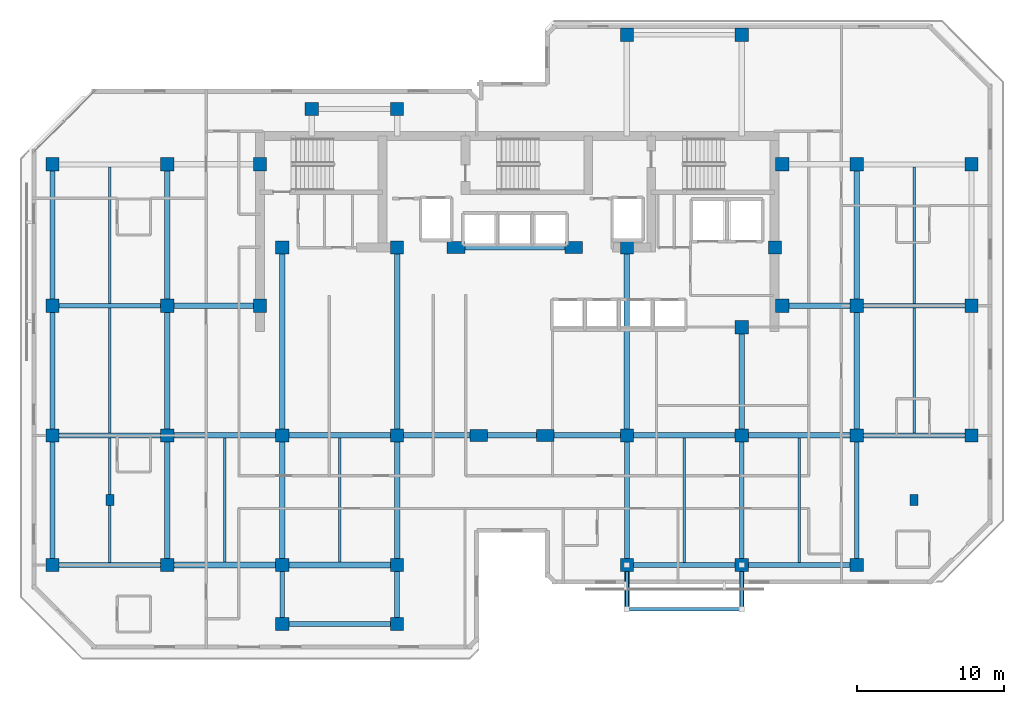
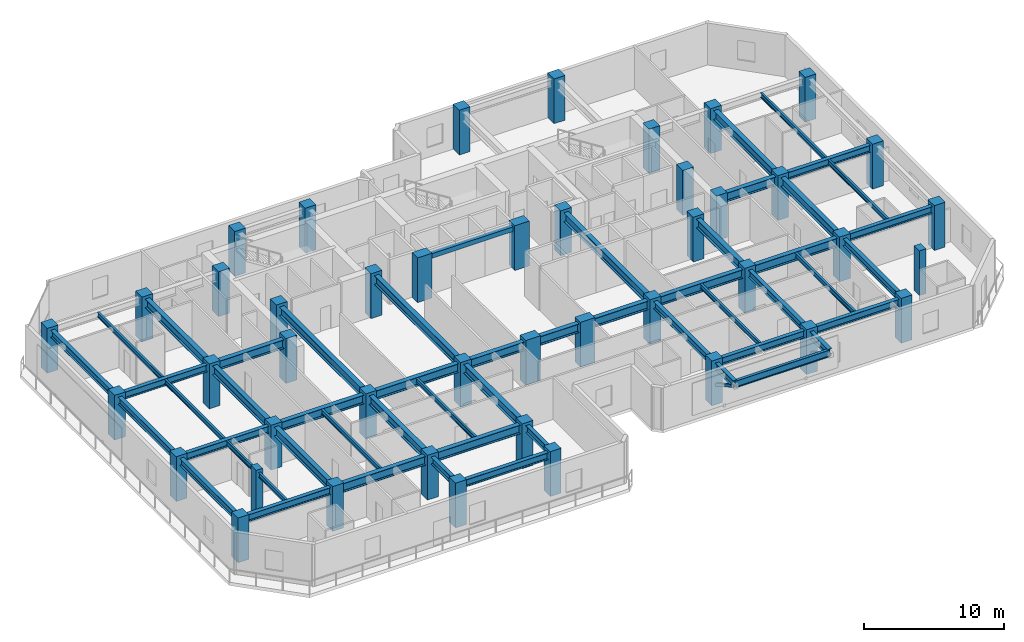
# One storey, part 1 of 10: 51 beams, 44 columns, 2 members.
"""IFC4 building model written with IfcOpenShell, lengths in metres."""

from ifc_helpers import new_model, si_unit, direction, frame, origin, origin_2d, place, context, subcontext, project, spatial, rectangle, hollow_rectangle, i_section, extrude, material, material_profile, profile_set, type_object, element, save


model = new_model("IFC4")

# Units and contexts
model_context = context("Model", 3, precision=1e-05, world=origin(), true_north=direction((0.0, 1.0)))
body_context = subcontext(model_context, "Body", "Model", "MODEL_VIEW")
ifc_project = project(units=[si_unit("LENGTHUNIT", "METRE"), si_unit("AREAUNIT", "SQUARE_METRE"), si_unit("VOLUMEUNIT", "CUBIC_METRE"), si_unit("PLANEANGLEUNIT", "RADIAN"), si_unit("MASSUNIT", "GRAM", prefix="KILO")], contexts=[model_context])

# Site, building, storey
site_placement = place(None, origin())
site = spatial("IfcSite", under=ifc_project, at=site_placement, CompositionType="ELEMENT")
building_placement = place(site_placement, origin())
building = spatial("IfcBuilding", under=site, at=building_placement, Name="Kestravale Grand Hotel", CompositionType="ELEMENT")
storey_placement = place(building_placement, frame((0.0, 0.0, 189.0)))
storey = spatial("IfcBuildingStorey", under=building, at=storey_placement, Name="L47", CompositionType="ELEMENT", Elevation=189.0)

# Columns
ifc_material_1 = material(Name="Concrete f'c 60 MPa", Category="concrete")
ifc_material_profile_1 = material_profile(ifc_material_1, rectangle(XDim=1.199951171875, YDim=0.800048828125, at=origin_2d()))
ifc_profile_set_1 = profile_set([ifc_material_profile_1], Name="Concrete f'c 60 MPa")
column_type_1 = type_object("IfcColumnType", Name="C-Z3-1200X800", PredefinedType="COLUMN", material=ifc_profile_set_1)
for number, where, z_axis, x_axis, name in (
    (1, (36.75, 20.0, 0.0), (0.0, 0.0, 1.0), (1.0, 0.0, 0.0), "L47 column 6-D"),
    (2, (41.25, 20.0, 0.0), (0.0, 0.0, 1.0), (1.0, 0.0, 0.0), "L47 column 7-D"),
    (3, (35.199951171875, 32.75, 0.0), (0.0, 0.0, 1.0), (1.0, 0.0, 0.0), "L47 column 6C-CS"),
    (4, (43.199951171875, 32.75, 0.0), (0.0, 0.0, 1.0), (1.0, 0.0, 0.0), "L47 column 7C-CS"),
):
    element("IfcColumn", number, at=place(storey_placement, frame(where, z_axis=z_axis, x_axis=x_axis)), inside=storey, type_object=column_type_1, Name=name, PredefinedType="COLUMN", context=body_context, shape_type="SweptSolid", body=[
        extrude(rectangle(XDim=1.199951171875, YDim=0.800048828125, at=origin_2d()), origin(), (0.0, 0.0, 1.0), 3.89990234375),
    ])
ifc_material_2 = material(Name="Precast concrete f'c 45 MPa", Category="concrete")
ifc_material_profile_2 = material_profile(ifc_material_2, rectangle(XDim=0.550048828125, YDim=0.75, at=origin_2d()))
ifc_profile_set_2 = profile_set([ifc_material_profile_2], Name="Precast concrete f'c 45 MPa")
column_type_2 = type_object("IfcColumnType", Name="C-Z3-PIL750", PredefinedType="PILASTER", material=ifc_profile_set_2)
for number, where, z_axis, x_axis, name in (
    (5, (11.699951171875, 15.60009765625, 0.0), (0.0, 0.0, 1.0), (1.0, 0.0, 0.0), "L47 Art Deco fluted pilaster P1"),
    (6, (66.300048828125, 15.60009765625, 0.0), (0.0, 0.0, 1.0), (1.0, 0.0, 0.0), "L47 Art Deco fluted pilaster P2"),
):
    element("IfcColumn", number, at=place(storey_placement, frame(where, z_axis=z_axis, x_axis=x_axis)), inside=storey, type_object=column_type_2, Name=name, PredefinedType="PILASTER", context=body_context, shape_type="SweptSolid", body=[
        extrude(rectangle(XDim=0.550048828125, YDim=0.75, at=origin_2d()), origin(), (0.0, 0.0, 1.0), 3.89990234375),
    ])
ifc_material_3 = material(Name="Concrete f'c 50 MPa", Category="concrete")
ifc_material_profile_3 = material_profile(ifc_material_3, rectangle(XDim=0.89990234375, YDim=0.89990234375, at=origin_2d()))
ifc_profile_set_3 = profile_set([ifc_material_profile_3], Name="Concrete f'c 50 MPa")
column_type_3 = type_object("IfcColumnType", Name="C-Z4-900", PredefinedType="COLUMN", material=ifc_profile_set_3)
for number, where, z_axis, x_axis, name in (
    (7, (7.800048828125, 11.199951171875, 0.0), (0.0, 0.0, 1.0), (1.0, 0.0, 0.0), "L47 column 2-C"),
    (8, (7.800048828125, 20.0, 0.0), (0.0, 0.0, 1.0), (1.0, 0.0, 0.0), "L47 column 2-D"),
    (9, (7.800048828125, 28.800048828125, 0.0), (0.0, 0.0, 1.0), (1.0, 0.0, 0.0), "L47 column 2-E"),
    (10, (7.800048828125, 38.39990234375, 0.0), (0.0, 0.0, 1.0), (1.0, 0.0, 0.0), "L47 column 2-F"),
    (11, (15.60009765625, 11.199951171875, 0.0), (0.0, 0.0, 1.0), (1.0, 0.0, 0.0), "L47 column 3-C"),
    (12, (15.60009765625, 20.0, 0.0), (0.0, 0.0, 1.0), (1.0, 0.0, 0.0), "L47 column 3-D"),
    (13, (15.60009765625, 28.800048828125, 0.0), (0.0, 0.0, 1.0), (1.0, 0.0, 0.0), "L47 column 3-E"),
    (14, (15.60009765625, 38.39990234375, 0.0), (0.0, 0.0, 1.0), (1.0, 0.0, 0.0), "L47 column 3-F"),
    (15, (23.39990234375, 11.199951171875, 0.0), (0.0, 0.0, 1.0), (1.0, 0.0, 0.0), "L47 column 4-C"),
    (16, (23.39990234375, 20.0, 0.0), (0.0, 0.0, 1.0), (1.0, 0.0, 0.0), "L47 column 4-D"),
    (17, (31.199951171875, 11.199951171875, 0.0), (0.0, 0.0, 1.0), (1.0, 0.0, 0.0), "L47 column 5-C"),
    (18, (31.199951171875, 20.0, 0.0), (0.0, 0.0, 1.0), (1.0, 0.0, 0.0), "L47 column 5-D"),
    (19, (46.800048828125, 11.199951171875, 0.0), (0.0, 0.0, 1.0), (1.0, 0.0, 0.0), "L47 column 8-C"),
    (20, (46.800048828125, 20.0, 0.0), (0.0, 0.0, 1.0), (1.0, 0.0, 0.0), "L47 column 8-D"),
    (21, (46.800048828125, 47.199951171875, 0.0), (0.0, 0.0, 1.0), (1.0, 0.0, 0.0), "L47 column 8-G"),
    (22, (54.60009765625, 11.199951171875, 0.0), (0.0, 0.0, 1.0), (1.0, 0.0, 0.0), "L47 column 9-C"),
    (23, (54.60009765625, 20.0, 0.0), (0.0, 0.0, 1.0), (1.0, 0.0, 0.0), "L47 column 9-D"),
    (24, (54.60009765625, 47.199951171875, 0.0), (0.0, 0.0, 1.0), (1.0, 0.0, 0.0), "L47 column 9-G"),
    (25, (62.39990234375, 11.199951171875, 0.0), (0.0, 0.0, 1.0), (1.0, 0.0, 0.0), "L47 column 10-C"),
    (26, (62.39990234375, 20.0, 0.0), (0.0, 0.0, 1.0), (1.0, 0.0, 0.0), "L47 column 10-D"),
    (27, (62.39990234375, 28.800048828125, 0.0), (0.0, 0.0, 1.0), (1.0, 0.0, 0.0), "L47 column 10-E"),
    (28, (62.39990234375, 38.39990234375, 0.0), (0.0, 0.0, 1.0), (1.0, 0.0, 0.0), "L47 column 10-F"),
    (29, (70.199951171875, 20.0, 0.0), (0.0, 0.0, 1.0), (1.0, 0.0, 0.0), "L47 column 11-D"),
    (30, (70.199951171875, 28.800048828125, 0.0), (0.0, 0.0, 1.0), (1.0, 0.0, 0.0), "L47 column 11-E"),
    (31, (70.199951171875, 38.39990234375, 0.0), (0.0, 0.0, 1.0), (1.0, 0.0, 0.0), "L47 column 11-F"),
    (32, (21.89990234375, 28.800048828125, 0.0), (0.0, 0.0, 1.0), (1.0, 0.0, 0.0), "L47 column CW-E"),
    (33, (21.89990234375, 38.39990234375, 0.0), (0.0, 0.0, 1.0), (1.0, 0.0, 0.0), "L47 column CW-F"),
    (34, (57.35009765625, 28.800048828125, 0.0), (0.0, 0.0, 1.0), (1.0, 0.0, 0.0), "L47 column CE-E"),
    (35, (57.35009765625, 38.39990234375, 0.0), (0.0, 0.0, 1.0), (1.0, 0.0, 0.0), "L47 column CE-F"),
    (36, (23.39990234375, 32.75, 0.0), (0.0, 0.0, 1.0), (1.0, 0.0, 0.0), "L47 column 4-CS"),
    (37, (31.199951171875, 32.75, 0.0), (0.0, 0.0, 1.0), (1.0, 0.0, 0.0), "L47 column 5-CS"),
    (38, (46.800048828125, 32.75, 0.0), (0.0, 0.0, 1.0), (1.0, 0.0, 0.0), "L47 column 8-CS"),
    (39, (54.60009765625, 27.35009765625, 0.0), (0.0, 0.0, 1.0), (1.0, 0.0, 0.0), "L47 column 9-CS"),
    (40, (56.85009765625, 32.75, 0.0), (0.0, 0.0, 1.0), (1.0, 0.0, 0.0), "L47 column 9C-CS"),
    (41, (23.39990234375, 7.199951171875, 0.0), (0.0, 0.0, 1.0), (1.0, 0.0, 0.0), "L47 column 4-BS"),
    (42, (31.199951171875, 7.199951171875, 0.0), (0.0, 0.0, 1.0), (1.0, 0.0, 0.0), "L47 column 5-BS"),
    (43, (25.39990234375, 42.14990234375, 0.0), (0.0, 0.0, 1.0), (1.0, 0.0, 0.0), "L47 column 4-FN"),
    (44, (31.199951171875, 42.14990234375, 0.0), (0.0, 0.0, 1.0), (1.0, 0.0, 0.0), "L47 column 5-FN"),
):
    element("IfcColumn", number, at=place(storey_placement, frame(where, z_axis=z_axis, x_axis=x_axis)), inside=storey, type_object=column_type_3, Name=name, PredefinedType="COLUMN", context=body_context, shape_type="SweptSolid", body=[
        extrude(rectangle(XDim=0.89990234375, YDim=0.89990234375, at=origin_2d()), origin(), (0.0, 0.0, 1.0), 3.89990234375),
    ])

# Beams
ifc_material_4 = material(Name="Steel ASTM A992 Grade 50", Category="steel")
ifc_material_profile_4 = material_profile(ifc_material_4, i_section(OverallWidth=0.177978515625, OverallDepth=0.404052734375, WebThickness=0.007568359375, FlangeThickness=0.010986328125, FilletRadius=0.01416015625, at=origin_2d()))
ifc_profile_set_4 = profile_set([ifc_material_profile_4], Name="Steel ASTM A992 Grade 50")
beam_type_1 = type_object("IfcBeamType", Name="B-FLR-JST16", PredefinedType="JOIST", material=ifc_profile_set_4)
for number, where, z_axis, x_axis, name in (
    (45, (11.699951171875, 11.362548828125, 3.447998046875), (0.0, 1.0, 0.0), (-1.0, 0.0, 0.0), "L47 floor joist 2-3/C-D #1"),
    (46, (11.699951171875, 20.16259765625, 3.447998046875), (0.0, 1.0, 0.0), (-1.0, 0.0, 0.0), "L47 floor joist 2-3/D-E #1"),
):
    element("IfcBeam", number, at=place(storey_placement, frame(where, z_axis=z_axis, x_axis=x_axis)), inside=storey, type_object=beam_type_1, Name=name, PredefinedType="JOIST", context=body_context, shape_type="SweptSolid", body=[
        extrude(i_section(OverallWidth=0.177978515625, OverallDepth=0.404052734375, WebThickness=0.007568359375, FlangeThickness=0.010986328125, FilletRadius=0.01416015625, at=origin_2d()), origin(), (0.0, 0.0, 1.0), 8.474853515625),
    ])
beam_1_placement = place(storey_placement, frame((11.699951171875, 28.96240234375, 3.447998046875), z_axis=(0.0, 1.0, 0.0), x_axis=(-1.0, 0.0, 0.0)))
element("IfcBeam", 47, at=beam_1_placement, inside=storey, type_object=beam_type_1, Name="L47 floor joist 2-3/E-F #1", PredefinedType="JOIST", context=body_context, shape_type="SweptSolid", body=[
    extrude(i_section(OverallWidth=0.177978515625, OverallDepth=0.404052734375, WebThickness=0.007568359375, FlangeThickness=0.010986328125, FilletRadius=0.01416015625, at=origin_2d()), origin(), (0.0, 0.0, 1.0), 9.275146484375),
])
for number, where, z_axis, x_axis, name in (
    (48, (19.5, 11.390380859375, 3.447998046875), (0.0, 1.0, 0.0), (-1.0, 0.0, 0.0), "L47 floor joist 3-4/C-D #1"),
    (49, (27.300048828125, 11.390380859375, 3.447998046875), (0.0, 1.0, 0.0), (-1.0, 0.0, 0.0), "L47 floor joist 4-5/C-D #1"),
):
    element("IfcBeam", number, at=place(storey_placement, frame(where, z_axis=z_axis, x_axis=x_axis)), inside=storey, type_object=beam_type_1, Name=name, PredefinedType="JOIST", context=body_context, shape_type="SweptSolid", body=[
        extrude(i_section(OverallWidth=0.177978515625, OverallDepth=0.404052734375, WebThickness=0.007568359375, FlangeThickness=0.010986328125, FilletRadius=0.01416015625, at=origin_2d()), origin(), (0.0, 0.0, 1.0), 8.419189453125),
    ])
for number, where, z_axis, x_axis, name in (
    (50, (50.699951171875, 11.362548828125, 3.447998046875), (0.0, 1.0, 0.0), (-1.0, 0.0, 0.0), "L47 floor joist 8-9/C-D #1"),
    (51, (58.5, 11.362548828125, 3.447998046875), (0.0, 1.0, 0.0), (-1.0, 0.0, 0.0), "L47 floor joist 9-10/C-D #1"),
):
    element("IfcBeam", number, at=place(storey_placement, frame(where, z_axis=z_axis, x_axis=x_axis)), inside=storey, type_object=beam_type_1, Name=name, PredefinedType="JOIST", context=body_context, shape_type="SweptSolid", body=[
        extrude(i_section(OverallWidth=0.177978515625, OverallDepth=0.404052734375, WebThickness=0.007568359375, FlangeThickness=0.010986328125, FilletRadius=0.01416015625, at=origin_2d()), origin(), (0.0, 0.0, 1.0), 8.447021484375),
    ])
beam_2_placement = place(storey_placement, frame((66.300048828125, 20.16259765625, 3.447998046875), z_axis=(0.0, 1.0, 0.0), x_axis=(-1.0, 0.0, 0.0)))
element("IfcBeam", 52, at=beam_2_placement, inside=storey, type_object=beam_type_1, Name="L47 floor joist 10-11/D-E #1", PredefinedType="JOIST", context=body_context, shape_type="SweptSolid", body=[
    extrude(i_section(OverallWidth=0.177978515625, OverallDepth=0.404052734375, WebThickness=0.007568359375, FlangeThickness=0.010986328125, FilletRadius=0.01416015625, at=origin_2d()), origin(), (0.0, 0.0, 1.0), 8.474853515625),
])
beam_3_placement = place(storey_placement, frame((66.300048828125, 28.96240234375, 3.447998046875), z_axis=(0.0, 1.0, 0.0), x_axis=(-1.0, 0.0, 0.0)))
element("IfcBeam", 53, at=beam_3_placement, inside=storey, type_object=beam_type_1, Name="L47 floor joist 10-11/E-F #1", PredefinedType="JOIST", context=body_context, shape_type="SweptSolid", body=[
    extrude(i_section(OverallWidth=0.177978515625, OverallDepth=0.404052734375, WebThickness=0.007568359375, FlangeThickness=0.010986328125, FilletRadius=0.01416015625, at=origin_2d()), origin(), (0.0, 0.0, 1.0), 9.275146484375),
])
ifc_material_5 = material(Name="Concrete f'c 45 MPa", Category="concrete")
ifc_material_profile_5 = material_profile(ifc_material_5, rectangle(XDim=0.300048828125, YDim=0.39990234375, at=origin_2d()))
ifc_profile_set_5 = profile_set([ifc_material_profile_5], Name="Concrete f'c 45 MPa")
beam_type_2 = type_object("IfcBeamType", Name="B-FLR-LNT400", PredefinedType="LINTEL", material=ifc_profile_set_5)
beam_4_placement = place(storey_placement, frame((35.199951171875, 32.75, 3.449951171875), z_axis=(1.0, 0.0, 0.0), x_axis=(0.0, 1.0, 0.0)))
element("IfcBeam", 54, at=beam_4_placement, inside=storey, type_object=beam_type_2, Name="L47 core portal header lintel", PredefinedType="LINTEL", context=body_context, shape_type="SweptSolid", body=[
    extrude(rectangle(XDim=0.300048828125, YDim=0.39990234375, at=origin_2d()), origin(), (0.0, 0.0, 1.0), 8.0),
])
ifc_material_6 = material(Name="Steel ASTM A992 Grade 50", Category="steel")
ifc_material_profile_6 = material_profile(ifc_material_6, i_section(OverallWidth=0.324951171875, OverallDepth=0.612060546875, WebThickness=0.0126953125, FlangeThickness=0.01904296875, FilletRadius=0.018798828125, at=origin_2d()))
ifc_profile_set_6 = profile_set([ifc_material_profile_6], Name="Steel ASTM A992 Grade 50")
beam_type_3 = type_object("IfcBeamType", Name="B-FLR-W24A", PredefinedType="SPANDREL", material=ifc_profile_set_6)
for number, where, z_axis, x_axis, name in (
    (55, (7.800048828125, 11.199951171875, 3.343994140625), (1.0, 0.0, 0.0), (0.0, 1.0, 0.0), "L47 spandrel C:2-3"),
    (56, (46.800048828125, 11.199951171875, 3.343994140625), (1.0, 0.0, 0.0), (0.0, 1.0, 0.0), "L47 spandrel C:8-9"),
):
    element("IfcBeam", number, at=place(storey_placement, frame(where, z_axis=z_axis, x_axis=x_axis)), inside=storey, type_object=beam_type_3, Name=name, PredefinedType="SPANDREL", context=body_context, shape_type="SweptSolid", body=[
        extrude(i_section(OverallWidth=0.324951171875, OverallDepth=0.612060546875, WebThickness=0.0126953125, FlangeThickness=0.01904296875, FilletRadius=0.018798828125, at=origin_2d()), origin(), (0.0, 0.0, 1.0), 7.800048828125),
    ])
beam_5_placement = place(storey_placement, frame((54.60009765625, 11.199951171875, 3.343994140625), z_axis=(1.0, 0.0, 0.0), x_axis=(0.0, 1.0, 0.0)))
element("IfcBeam", 57, at=beam_5_placement, inside=storey, type_object=beam_type_3, Name="L47 spandrel C:9-10", PredefinedType="SPANDREL", context=body_context, shape_type="SweptSolid", body=[
    extrude(i_section(OverallWidth=0.324951171875, OverallDepth=0.612060546875, WebThickness=0.0126953125, FlangeThickness=0.01904296875, FilletRadius=0.018798828125, at=origin_2d()), origin(), (0.0, 0.0, 1.0), 7.7998046875),
])
for number, where, z_axis, x_axis, name in (
    (58, (7.800048828125, 20.0, 3.343994140625), (1.0, 0.0, 0.0), (0.0, 1.0, 0.0), "L47 spandrel D:2-3"),
    (59, (62.39990234375, 20.0, 3.343994140625), (1.0, 0.0, 0.0), (0.0, 1.0, 0.0), "L47 spandrel D:10-11"),
    (60, (7.800048828125, 28.800048828125, 3.343994140625), (1.0, 0.0, 0.0), (0.0, 1.0, 0.0), "L47 spandrel E:2-3"),
    (61, (62.39990234375, 28.800048828125, 3.343994140625), (1.0, 0.0, 0.0), (0.0, 1.0, 0.0), "L47 spandrel E:10-11"),
    (62, (23.39990234375, 7.199951171875, 3.343994140625), (1.0, 0.0, 0.0), (0.0, 1.0, 0.0), "L47 perimeter tie spandrel BS:4-5"),
):
    element("IfcBeam", number, at=place(storey_placement, frame(where, z_axis=z_axis, x_axis=x_axis)), inside=storey, type_object=beam_type_3, Name=name, PredefinedType="SPANDREL", context=body_context, shape_type="SweptSolid", body=[
        extrude(i_section(OverallWidth=0.324951171875, OverallDepth=0.612060546875, WebThickness=0.0126953125, FlangeThickness=0.01904296875, FilletRadius=0.018798828125, at=origin_2d()), origin(), (0.0, 0.0, 1.0), 7.800048828125),
    ])
for number, where, z_axis, x_axis, name in (
    (63, (7.800048828125, 11.199951171875, 3.343994140625), (0.0, 1.0, 0.0), (-1.0, 0.0, 0.0), "L47 spandrel 2:C-D"),
    (64, (7.800048828125, 20.0, 3.343994140625), (0.0, 1.0, 0.0), (-1.0, 0.0, 0.0), "L47 spandrel 2:D-E"),
):
    element("IfcBeam", number, at=place(storey_placement, frame(where, z_axis=z_axis, x_axis=x_axis)), inside=storey, type_object=beam_type_3, Name=name, PredefinedType="SPANDREL", context=body_context, shape_type="SweptSolid", body=[
        extrude(i_section(OverallWidth=0.324951171875, OverallDepth=0.612060546875, WebThickness=0.0126953125, FlangeThickness=0.01904296875, FilletRadius=0.018798828125, at=origin_2d()), origin(), (0.0, 0.0, 1.0), 8.800048828125),
    ])
beam_6_placement = place(storey_placement, frame((7.800048828125, 28.800048828125, 3.343994140625), z_axis=(0.0, 1.0, 0.0), x_axis=(-1.0, 0.0, 0.0)))
element("IfcBeam", 65, at=beam_6_placement, inside=storey, type_object=beam_type_3, Name="L47 spandrel 2:E-F", PredefinedType="SPANDREL", context=body_context, shape_type="SweptSolid", body=[
    extrude(i_section(OverallWidth=0.324951171875, OverallDepth=0.612060546875, WebThickness=0.0126953125, FlangeThickness=0.01904296875, FilletRadius=0.018798828125, at=origin_2d()), origin(), (0.0, 0.0, 1.0), 9.599853515625),
])
for number, where, z_axis, x_axis, name in (
    (66, (23.39990234375, 7.199951171875, 3.343994140625), (0.0, 1.0, 0.0), (-1.0, 0.0, 0.0), "L47 spandrel 4:BS-C"),
    (67, (31.199951171875, 7.199951171875, 3.343994140625), (0.0, 1.0, 0.0), (-1.0, 0.0, 0.0), "L47 spandrel 5:BS-C"),
):
    element("IfcBeam", number, at=place(storey_placement, frame(where, z_axis=z_axis, x_axis=x_axis)), inside=storey, type_object=beam_type_3, Name=name, PredefinedType="SPANDREL", context=body_context, shape_type="SweptSolid", body=[
        extrude(i_section(OverallWidth=0.324951171875, OverallDepth=0.612060546875, WebThickness=0.0126953125, FlangeThickness=0.01904296875, FilletRadius=0.018798828125, at=origin_2d()), origin(), (0.0, 0.0, 1.0), 4.0),
    ])
for number, where, z_axis, x_axis, name in (
    (68, (46.800048828125, 11.199951171875, 3.343994140625), (0.0, 1.0, 0.0), (-1.0, 0.0, 0.0), "L47 spandrel 8:C-D"),
    (69, (54.60009765625, 11.199951171875, 3.343994140625), (0.0, 1.0, 0.0), (-1.0, 0.0, 0.0), "L47 spandrel 9:C-D"),
    (70, (62.39990234375, 11.199951171875, 3.343994140625), (0.0, 1.0, 0.0), (-1.0, 0.0, 0.0), "L47 spandrel 10:C-D"),
):
    element("IfcBeam", number, at=place(storey_placement, frame(where, z_axis=z_axis, x_axis=x_axis)), inside=storey, type_object=beam_type_3, Name=name, PredefinedType="SPANDREL", context=body_context, shape_type="SweptSolid", body=[
        extrude(i_section(OverallWidth=0.324951171875, OverallDepth=0.612060546875, WebThickness=0.0126953125, FlangeThickness=0.01904296875, FilletRadius=0.018798828125, at=origin_2d()), origin(), (0.0, 0.0, 1.0), 8.800048828125),
    ])
for number, where, z_axis, x_axis, name in (
    (71, (46.800048828125, 11.199951171875, 3.323974609375), (0.0, -1.0, 0.0), (1.0, 0.0, 0.0), "L48 terrace cantilever beam 1"),
    (72, (54.60009765625, 11.199951171875, 3.323974609375), (0.0, -1.0, 0.0), (1.0, 0.0, 0.0), "L48 terrace cantilever beam 2"),
):
    element("IfcBeam", number, at=place(storey_placement, frame(where, z_axis=z_axis, x_axis=x_axis)), inside=storey, type_object=beam_type_3, Name=name, PredefinedType="SPANDREL", context=body_context, shape_type="SweptSolid", body=[
        extrude(i_section(OverallWidth=0.324951171875, OverallDepth=0.612060546875, WebThickness=0.0126953125, FlangeThickness=0.01904296875, FilletRadius=0.018798828125, at=origin_2d()), origin(), (0.0, 0.0, 1.0), 3.0),
    ])
ifc_material_7 = material(Name="Steel ASTM A992 Grade 50", Category="steel")
ifc_material_profile_7 = material_profile(ifc_material_7, i_section(OverallWidth=0.22900390625, OverallDepth=0.612060546875, WebThickness=0.011962890625, FlangeThickness=0.01953125, FilletRadius=0.019287109375, at=origin_2d()))
ifc_profile_set_7 = profile_set([ifc_material_profile_7], Name="Steel ASTM A992 Grade 50")
beam_type_4 = type_object("IfcBeamType", Name="B-FLR-W24B", PredefinedType="SPANDREL", material=ifc_profile_set_7)
beam_7_placement = place(storey_placement, frame((46.800048828125, 8.199951171875, 3.323974609375), z_axis=(1.0, 0.0, 0.0), x_axis=(0.0, 1.0, 0.0)))
element("IfcBeam", 73, at=beam_7_placement, inside=storey, type_object=beam_type_4, Name="L48 terrace edge spandrel", PredefinedType="SPANDREL", context=body_context, shape_type="SweptSolid", body=[
    extrude(i_section(OverallWidth=0.22900390625, OverallDepth=0.612060546875, WebThickness=0.011962890625, FlangeThickness=0.01953125, FilletRadius=0.019287109375, at=origin_2d()), origin(), (0.0, 0.0, 1.0), 7.800048828125),
])
ifc_material_8 = material(Name="Steel ASTM A992 Grade 50", Category="steel")
ifc_material_profile_8 = material_profile(ifc_material_8, i_section(OverallWidth=0.381103515625, OverallDepth=0.77197265625, WebThickness=0.0166015625, FlangeThickness=0.027099609375, FilletRadius=0.023681640625, at=origin_2d()))
ifc_profile_set_8 = profile_set([ifc_material_profile_8], Name="Steel ASTM A992 Grade 50")
beam_type_5 = type_object("IfcBeamType", Name="B-GRD-W30", PredefinedType="BEAM", material=ifc_profile_set_8)
beam_8_placement = place(storey_placement, frame((15.60009765625, 11.199951171875, 3.263916015625), z_axis=(1.0, 0.0, 0.0), x_axis=(0.0, 1.0, 0.0)))
element("IfcBeam", 74, at=beam_8_placement, inside=storey, type_object=beam_type_5, Name="L47 girder C:3-4", PredefinedType="BEAM", context=body_context, shape_type="SweptSolid", body=[
    extrude(i_section(OverallWidth=0.381103515625, OverallDepth=0.77197265625, WebThickness=0.0166015625, FlangeThickness=0.027099609375, FilletRadius=0.023681640625, at=origin_2d()), origin(), (0.0, 0.0, 1.0), 7.7998046875),
])
beam_9_placement = place(storey_placement, frame((23.39990234375, 11.199951171875, 3.263916015625), z_axis=(1.0, 0.0, 0.0), x_axis=(0.0, 1.0, 0.0)))
element("IfcBeam", 75, at=beam_9_placement, inside=storey, type_object=beam_type_5, Name="L47 girder C:4-5", PredefinedType="BEAM", context=body_context, shape_type="SweptSolid", body=[
    extrude(i_section(OverallWidth=0.381103515625, OverallDepth=0.77197265625, WebThickness=0.0166015625, FlangeThickness=0.027099609375, FilletRadius=0.023681640625, at=origin_2d()), origin(), (0.0, 0.0, 1.0), 7.800048828125),
])
beam_10_placement = place(storey_placement, frame((15.60009765625, 20.0, 3.263916015625), z_axis=(1.0, 0.0, 0.0), x_axis=(0.0, 1.0, 0.0)))
element("IfcBeam", 76, at=beam_10_placement, inside=storey, type_object=beam_type_5, Name="L47 girder D:3-4", PredefinedType="BEAM", context=body_context, shape_type="SweptSolid", body=[
    extrude(i_section(OverallWidth=0.381103515625, OverallDepth=0.77197265625, WebThickness=0.0166015625, FlangeThickness=0.027099609375, FilletRadius=0.023681640625, at=origin_2d()), origin(), (0.0, 0.0, 1.0), 7.7998046875),
])
beam_11_placement = place(storey_placement, frame((23.39990234375, 20.0, 3.263916015625), z_axis=(1.0, 0.0, 0.0), x_axis=(0.0, 1.0, 0.0)))
element("IfcBeam", 77, at=beam_11_placement, inside=storey, type_object=beam_type_5, Name="L47 girder D:4-5", PredefinedType="BEAM", context=body_context, shape_type="SweptSolid", body=[
    extrude(i_section(OverallWidth=0.381103515625, OverallDepth=0.77197265625, WebThickness=0.0166015625, FlangeThickness=0.027099609375, FilletRadius=0.023681640625, at=origin_2d()), origin(), (0.0, 0.0, 1.0), 7.800048828125),
])
beam_12_placement = place(storey_placement, frame((31.199951171875, 20.0, 3.263916015625), z_axis=(1.0, 0.0, 0.0), x_axis=(0.0, 1.0, 0.0)))
element("IfcBeam", 78, at=beam_12_placement, inside=storey, type_object=beam_type_5, Name="L47 girder D:5-6", PredefinedType="BEAM", context=body_context, shape_type="SweptSolid", body=[
    extrude(i_section(OverallWidth=0.381103515625, OverallDepth=0.77197265625, WebThickness=0.0166015625, FlangeThickness=0.027099609375, FilletRadius=0.023681640625, at=origin_2d()), origin(), (0.0, 0.0, 1.0), 5.550048828125),
])
beam_13_placement = place(storey_placement, frame((36.75, 20.0, 3.263916015625), z_axis=(1.0, 0.0, 0.0), x_axis=(0.0, 1.0, 0.0)))
element("IfcBeam", 79, at=beam_13_placement, inside=storey, type_object=beam_type_5, Name="L47 girder D:6-7", PredefinedType="BEAM", context=body_context, shape_type="SweptSolid", body=[
    extrude(i_section(OverallWidth=0.381103515625, OverallDepth=0.77197265625, WebThickness=0.0166015625, FlangeThickness=0.027099609375, FilletRadius=0.023681640625, at=origin_2d()), origin(), (0.0, 0.0, 1.0), 4.5),
])
beam_14_placement = place(storey_placement, frame((41.25, 20.0, 3.263916015625), z_axis=(1.0, 0.0, 0.0), x_axis=(0.0, 1.0, 0.0)))
element("IfcBeam", 80, at=beam_14_placement, inside=storey, type_object=beam_type_5, Name="L47 girder D:7-8", PredefinedType="BEAM", context=body_context, shape_type="SweptSolid", body=[
    extrude(i_section(OverallWidth=0.381103515625, OverallDepth=0.77197265625, WebThickness=0.0166015625, FlangeThickness=0.027099609375, FilletRadius=0.023681640625, at=origin_2d()), origin(), (0.0, 0.0, 1.0), 5.550048828125),
])
beam_15_placement = place(storey_placement, frame((46.800048828125, 20.0, 3.263916015625), z_axis=(1.0, 0.0, 0.0), x_axis=(0.0, 1.0, 0.0)))
element("IfcBeam", 81, at=beam_15_placement, inside=storey, type_object=beam_type_5, Name="L47 girder D:8-9", PredefinedType="BEAM", context=body_context, shape_type="SweptSolid", body=[
    extrude(i_section(OverallWidth=0.381103515625, OverallDepth=0.77197265625, WebThickness=0.0166015625, FlangeThickness=0.027099609375, FilletRadius=0.023681640625, at=origin_2d()), origin(), (0.0, 0.0, 1.0), 7.800048828125),
])
beam_16_placement = place(storey_placement, frame((54.60009765625, 20.0, 3.263916015625), z_axis=(1.0, 0.0, 0.0), x_axis=(0.0, 1.0, 0.0)))
element("IfcBeam", 82, at=beam_16_placement, inside=storey, type_object=beam_type_5, Name="L47 girder D:9-10", PredefinedType="BEAM", context=body_context, shape_type="SweptSolid", body=[
    extrude(i_section(OverallWidth=0.381103515625, OverallDepth=0.77197265625, WebThickness=0.0166015625, FlangeThickness=0.027099609375, FilletRadius=0.023681640625, at=origin_2d()), origin(), (0.0, 0.0, 1.0), 7.7998046875),
])
beam_17_placement = place(storey_placement, frame((15.60009765625, 28.800048828125, 3.263916015625), z_axis=(1.0, 0.0, 0.0), x_axis=(0.0, 1.0, 0.0)))
element("IfcBeam", 83, at=beam_17_placement, inside=storey, type_object=beam_type_5, Name="L47 girder E:3-CW", PredefinedType="BEAM", context=body_context, shape_type="SweptSolid", body=[
    extrude(i_section(OverallWidth=0.381103515625, OverallDepth=0.77197265625, WebThickness=0.0166015625, FlangeThickness=0.027099609375, FilletRadius=0.023681640625, at=origin_2d()), origin(), (0.0, 0.0, 1.0), 6.2998046875),
])
beam_18_placement = place(storey_placement, frame((57.35009765625, 28.800048828125, 3.263916015625), z_axis=(1.0, 0.0, 0.0), x_axis=(0.0, 1.0, 0.0)))
element("IfcBeam", 84, at=beam_18_placement, inside=storey, type_object=beam_type_5, Name="L47 girder E:CE-10", PredefinedType="BEAM", context=body_context, shape_type="SweptSolid", body=[
    extrude(i_section(OverallWidth=0.381103515625, OverallDepth=0.77197265625, WebThickness=0.0166015625, FlangeThickness=0.027099609375, FilletRadius=0.023681640625, at=origin_2d()), origin(), (0.0, 0.0, 1.0), 5.0498046875),
])
for number, where, z_axis, x_axis, name in (
    (85, (15.60009765625, 11.199951171875, 3.263916015625), (0.0, 1.0, 0.0), (-1.0, 0.0, 0.0), "L47 girder 3:C-D"),
    (86, (15.60009765625, 20.0, 3.263916015625), (0.0, 1.0, 0.0), (-1.0, 0.0, 0.0), "L47 girder 3:D-E"),
):
    element("IfcBeam", number, at=place(storey_placement, frame(where, z_axis=z_axis, x_axis=x_axis)), inside=storey, type_object=beam_type_5, Name=name, PredefinedType="BEAM", context=body_context, shape_type="SweptSolid", body=[
        extrude(i_section(OverallWidth=0.381103515625, OverallDepth=0.77197265625, WebThickness=0.0166015625, FlangeThickness=0.027099609375, FilletRadius=0.023681640625, at=origin_2d()), origin(), (0.0, 0.0, 1.0), 8.800048828125),
    ])
beam_19_placement = place(storey_placement, frame((15.60009765625, 28.800048828125, 3.263916015625), z_axis=(0.0, 1.0, 0.0), x_axis=(-1.0, 0.0, 0.0)))
element("IfcBeam", 87, at=beam_19_placement, inside=storey, type_object=beam_type_5, Name="L47 girder 3:E-F", PredefinedType="BEAM", context=body_context, shape_type="SweptSolid", body=[
    extrude(i_section(OverallWidth=0.381103515625, OverallDepth=0.77197265625, WebThickness=0.0166015625, FlangeThickness=0.027099609375, FilletRadius=0.023681640625, at=origin_2d()), origin(), (0.0, 0.0, 1.0), 9.599853515625),
])
beam_20_placement = place(storey_placement, frame((23.39990234375, 11.199951171875, 3.263916015625), z_axis=(0.0, 1.0, 0.0), x_axis=(-1.0, 0.0, 0.0)))
element("IfcBeam", 88, at=beam_20_placement, inside=storey, type_object=beam_type_5, Name="L47 girder 4:C-D", PredefinedType="BEAM", context=body_context, shape_type="SweptSolid", body=[
    extrude(i_section(OverallWidth=0.381103515625, OverallDepth=0.77197265625, WebThickness=0.0166015625, FlangeThickness=0.027099609375, FilletRadius=0.023681640625, at=origin_2d()), origin(), (0.0, 0.0, 1.0), 8.800048828125),
])
beam_21_placement = place(storey_placement, frame((23.39990234375, 20.0, 3.263916015625), z_axis=(0.0, 1.0, 0.0), x_axis=(-1.0, 0.0, 0.0)))
element("IfcBeam", 89, at=beam_21_placement, inside=storey, type_object=beam_type_5, Name="L47 girder 4:D-CS", PredefinedType="BEAM", context=body_context, shape_type="SweptSolid", body=[
    extrude(i_section(OverallWidth=0.381103515625, OverallDepth=0.77197265625, WebThickness=0.0166015625, FlangeThickness=0.027099609375, FilletRadius=0.023681640625, at=origin_2d()), origin(), (0.0, 0.0, 1.0), 12.75),
])
beam_22_placement = place(storey_placement, frame((31.199951171875, 11.199951171875, 3.263916015625), z_axis=(0.0, 1.0, 0.0), x_axis=(-1.0, 0.0, 0.0)))
element("IfcBeam", 90, at=beam_22_placement, inside=storey, type_object=beam_type_5, Name="L47 girder 5:C-D", PredefinedType="BEAM", context=body_context, shape_type="SweptSolid", body=[
    extrude(i_section(OverallWidth=0.381103515625, OverallDepth=0.77197265625, WebThickness=0.0166015625, FlangeThickness=0.027099609375, FilletRadius=0.023681640625, at=origin_2d()), origin(), (0.0, 0.0, 1.0), 8.800048828125),
])
for number, where, z_axis, x_axis, name in (
    (91, (31.199951171875, 20.0, 3.263916015625), (0.0, 1.0, 0.0), (-1.0, 0.0, 0.0), "L47 girder 5:D-CS"),
    (92, (46.800048828125, 20.0, 3.263916015625), (0.0, 1.0, 0.0), (-1.0, 0.0, 0.0), "L47 girder 8:D-CS"),
):
    element("IfcBeam", number, at=place(storey_placement, frame(where, z_axis=z_axis, x_axis=x_axis)), inside=storey, type_object=beam_type_5, Name=name, PredefinedType="BEAM", context=body_context, shape_type="SweptSolid", body=[
        extrude(i_section(OverallWidth=0.381103515625, OverallDepth=0.77197265625, WebThickness=0.0166015625, FlangeThickness=0.027099609375, FilletRadius=0.023681640625, at=origin_2d()), origin(), (0.0, 0.0, 1.0), 12.75),
    ])
beam_23_placement = place(storey_placement, frame((54.60009765625, 20.0, 3.263916015625), z_axis=(0.0, 1.0, 0.0), x_axis=(-1.0, 0.0, 0.0)))
element("IfcBeam", 93, at=beam_23_placement, inside=storey, type_object=beam_type_5, Name="L47 girder 9:D-CS", PredefinedType="BEAM", context=body_context, shape_type="SweptSolid", body=[
    extrude(i_section(OverallWidth=0.381103515625, OverallDepth=0.77197265625, WebThickness=0.0166015625, FlangeThickness=0.027099609375, FilletRadius=0.023681640625, at=origin_2d()), origin(), (0.0, 0.0, 1.0), 7.35009765625),
])
beam_24_placement = place(storey_placement, frame((62.39990234375, 20.0, 3.263916015625), z_axis=(0.0, 1.0, 0.0), x_axis=(-1.0, 0.0, 0.0)))
element("IfcBeam", 94, at=beam_24_placement, inside=storey, type_object=beam_type_5, Name="L47 girder 10:D-E", PredefinedType="BEAM", context=body_context, shape_type="SweptSolid", body=[
    extrude(i_section(OverallWidth=0.381103515625, OverallDepth=0.77197265625, WebThickness=0.0166015625, FlangeThickness=0.027099609375, FilletRadius=0.023681640625, at=origin_2d()), origin(), (0.0, 0.0, 1.0), 8.800048828125),
])
beam_25_placement = place(storey_placement, frame((62.39990234375, 28.800048828125, 3.263916015625), z_axis=(0.0, 1.0, 0.0), x_axis=(-1.0, 0.0, 0.0)))
element("IfcBeam", 95, at=beam_25_placement, inside=storey, type_object=beam_type_5, Name="L47 girder 10:E-F", PredefinedType="BEAM", context=body_context, shape_type="SweptSolid", body=[
    extrude(i_section(OverallWidth=0.381103515625, OverallDepth=0.77197265625, WebThickness=0.0166015625, FlangeThickness=0.027099609375, FilletRadius=0.023681640625, at=origin_2d()), origin(), (0.0, 0.0, 1.0), 9.599853515625),
])

# Members
ifc_material_9 = material(Name="Steel ASTM A500 Grade C", Category="steel")
ifc_material_profile_9 = material_profile(ifc_material_9, hollow_rectangle(XDim=0.25, YDim=0.25, WallThickness=0.011962890625, InnerFilletRadius=0.011962890625, OuterFilletRadius=0.02392578125, at=origin_2d()))
ifc_profile_set_9 = profile_set([ifc_material_profile_9], Name="Steel ASTM A500 Grade C")
member_type = type_object("IfcMemberType", Name="M-BLT-STR250", PredefinedType="STRUT", material=ifc_profile_set_9)
for number, where, z_axis, x_axis, name in (
    (96, (46.800048828125, 11.199951171875, 1.47412109375), (0.0, -0.870028259722, 0.493001853226), (1.0, 0.0, 0.0), "L48 terrace knee-brace strut 1"),
    (97, (54.60009765625, 11.199951171875, 1.47412109375), (0.0, -0.870028259722, 0.493001853226), (1.0, 0.0, 0.0), "L48 terrace knee-brace strut 2"),
):
    element("IfcMember", number, at=place(storey_placement, frame(where, z_axis=z_axis, x_axis=x_axis)), inside=storey, type_object=member_type, Name=name, PredefinedType="STRUT", context=body_context, shape_type="SweptSolid", body=[
        extrude(hollow_rectangle(XDim=0.25, YDim=0.25, WallThickness=0.011962890625, InnerFilletRadius=0.011962890625, OuterFilletRadius=0.02392578125, at=origin_2d()), origin(), (0.0, 0.0, 1.0), 3.4482421875),
    ])

save(model, "model.ifc")
